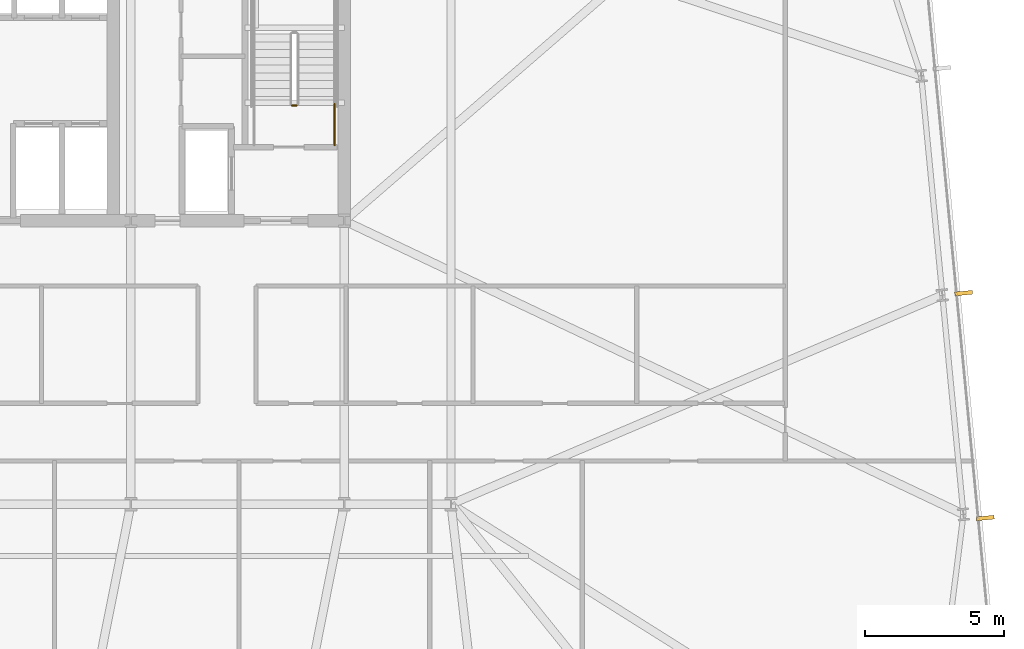
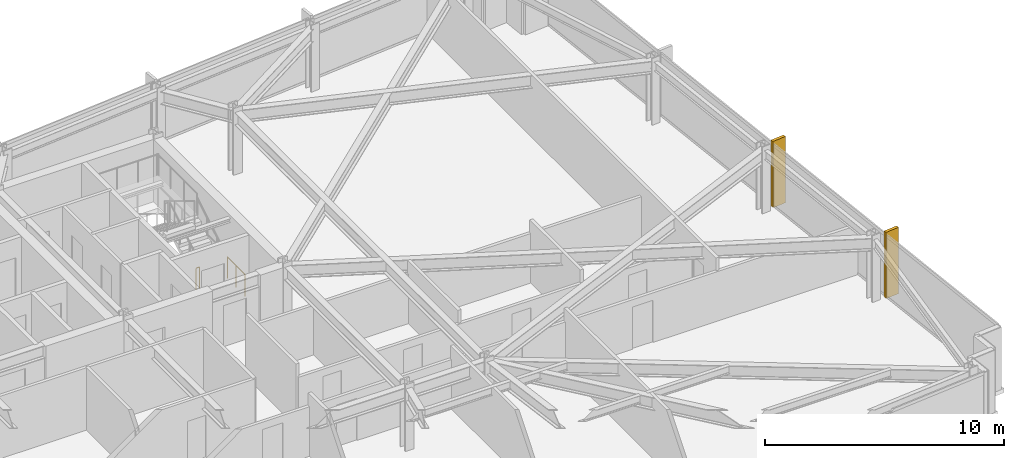
# One storey, part 31 of 33: 2 railings, 2 shading devices.
"""IFC4 building model written with IfcOpenShell, lengths in metres."""

import ifcopenshell
import ifcopenshell.guid

model = None  # the IFC model being written
_history = None  # IfcOwnerHistory: only IFC2X3 demands one
_inside = {}  # id of a spatial element -> (the spatial element, [elements in it])
_under = {}  # id of a project, library or spatial element -> (it, [spatial elements below it])
_declared = {}  # id of a project -> (the project, [libraries it declares])
_typed = {}  # id of a type object -> (the type object, [elements of that type])
_made_of = {}  # id of a material, layer set ... -> (it, [elements and type objects made of it])


def new_model(schema):
    """Start an empty IFC model of exactly this schema.

    Asked for "IFC4X3", IfcOpenShell would pick the latest addendum, in which some entities
    have other attributes; the version numbers below select the first issue.
    IFC2X3 requires an IfcOwnerHistory on every rooted entity: one is made here for all.
    """
    global model, _history
    if schema == "IFC4X3":
        model = ifcopenshell.file(schema_version=(4, 3, 0, 0))
    else:
        model = ifcopenshell.file(schema=schema)
    _inside.clear()
    _under.clear()
    _declared.clear()
    _typed.clear()
    _made_of.clear()
    _history = None
    if model.schema == "IFC2X3":
        org = make("IfcOrganization", Name="unknown")
        user = make(
            "IfcPersonAndOrganization",
            ThePerson=make("IfcPerson", FamilyName="unknown"),
            TheOrganization=org,
        )
        app = make(
            "IfcApplication",
            ApplicationDeveloper=org,
            Version="unknown",
            ApplicationFullName="unknown",
            ApplicationIdentifier="unknown",
        )
        _history = make(
            "IfcOwnerHistory",
            OwningUser=user,
            OwningApplication=app,
            ChangeAction="ADDED",
            CreationDate=0,
        )
    return model


def make(cls, **values):
    """One entity of the class cls with the attributes given. An attribute that is None is left unset."""
    return model.create_entity(
        cls, **{name: value for name, value in values.items() if value is not None}
    )


def rooted(cls, **values):
    """An entity with a GlobalId (a new one), such as an element, a storey or a relation."""
    return make(cls, GlobalId=ifcopenshell.guid.new(), OwnerHistory=_history, **values)


def si_unit(unit_type, name, prefix=None):
    """IfcSIUnit, for example si_unit("LENGTHUNIT", "METRE", prefix="MILLI")."""
    return make("IfcSIUnit", UnitType=unit_type, Prefix=prefix, Name=name)


def assignment(units):
    """IfcUnitAssignment: the units of a project."""
    return None if units is None else make("IfcUnitAssignment", Units=units)


def point(xyz):
    """IfcCartesianPoint."""
    return None if xyz is None else make("IfcCartesianPoint", Coordinates=xyz)


def direction(xyz):
    """IfcDirection."""
    return None if xyz is None else make("IfcDirection", DirectionRatios=xyz)


def frame(location, z_axis=None, x_axis=None):
    """IfcAxis2Placement3D, a coordinate frame: its origin and axes. An axis left out is left unset."""
    return make(
        "IfcAxis2Placement3D",
        Location=point(location),
        Axis=direction(z_axis),
        RefDirection=direction(x_axis),
    )


def frame_2d(location, x_axis=None):
    """IfcAxis2Placement2D, a coordinate frame in the plane: its origin and x axis."""
    return make(
        "IfcAxis2Placement2D", Location=point(location), RefDirection=direction(x_axis)
    )


def origin():
    """The frame at (0, 0, 0) with its axes left unset."""
    return frame((0.0, 0.0, 0.0))


def origin_2d():
    """The frame at (0, 0) in the plane with its x axis left unset."""
    return frame_2d((0.0, 0.0))


def place(relative_to, where):
    """IfcLocalPlacement: puts the frame where relative to a parent placement (None: the world)."""
    return make(
        "IfcLocalPlacement", PlacementRelTo=relative_to, RelativePlacement=where
    )


def context(
    kind, dimensions, precision=None, world=None, true_north=None, identifier=None
):
    """IfcGeometricRepresentationContext, for example the 3D "Model" context."""
    return make(
        "IfcGeometricRepresentationContext",
        ContextIdentifier=identifier,
        ContextType=kind,
        CoordinateSpaceDimension=dimensions,
        Precision=precision,
        WorldCoordinateSystem=world,
        TrueNorth=true_north,
    )


def subcontext(parent, identifier, kind, view, scale=None):
    """IfcGeometricRepresentationSubContext, for example "Body" below "Model"."""
    return make(
        "IfcGeometricRepresentationSubContext",
        ContextIdentifier=identifier,
        ContextType=kind,
        ParentContext=parent,
        TargetScale=scale,
        TargetView=view,
    )


def project(units=None, contexts=None):
    """IfcProject with its units and contexts."""
    return rooted(
        "IfcProject",
        Name="project",
        RepresentationContexts=contexts,
        UnitsInContext=assignment(units),
    )


def spatial(cls, under=None, at=None, **own):
    """A site, building, storey or space (cls), placed at a placement, below another one or the project."""
    s = rooted(cls, ObjectPlacement=at, **own)
    if under is not None:
        _under.setdefault(under.id(), (under, []))[1].append(s)
    return s


def profile(cls, at=None, kind="AREA", **sizes):
    """A parametric profile (cls). Its sizes go by their IFC names, for example OverallWidth=200.0."""
    return make(cls, ProfileType=kind, Position=at, **sizes)


def rectangle(**sizes):
    """IfcRectangleProfileDef."""
    return profile("IfcRectangleProfileDef", **sizes)


def circle(**sizes):
    """IfcCircleProfileDef."""
    return profile("IfcCircleProfileDef", **sizes)


def extrude(swept, where, along, depth):
    """IfcExtrudedAreaSolid: the profile swept, set in the frame where, extruded along a direction by depth."""
    return make(
        "IfcExtrudedAreaSolid",
        SweptArea=swept,
        Position=where,
        ExtrudedDirection=direction(along),
        Depth=depth,
    )


def shape(context_of_items, identifier, shape_type, items):
    """IfcShapeRepresentation: the items that make up one representation, for example the "Body"."""
    return make(
        "IfcShapeRepresentation",
        ContextOfItems=context_of_items,
        RepresentationIdentifier=identifier,
        RepresentationType=shape_type,
        Items=items,
    )


def material(Name=None, Category=None):
    """IfcMaterial."""
    return make("IfcMaterial", Name=Name, Category=Category)


def layer(
    of_material, thickness, ventilated=None, Name=None, Category=None, Priority=None
):
    """IfcMaterialLayer: one layer of a wall or slab, of a material (None: an air gap)."""
    return make(
        "IfcMaterialLayer",
        Material=of_material,
        LayerThickness=thickness,
        IsVentilated=ventilated,
        Name=Name,
        Category=Category,
        Priority=Priority,
    )


def layer_set(layers, Name=None):
    """IfcMaterialLayerSet."""
    return make("IfcMaterialLayerSet", MaterialLayers=layers, LayerSetName=Name)


def made_of(thing, what):
    """Note that an element or type object is made of a material, layer set ...; save() writes the relation."""
    if what is not None:
        _made_of.setdefault(what.id(), (what, []))[1].append(thing)
    return thing


def type_object(cls, material=None, **own):
    """A type object (cls), such as IfcWallType, which elements share."""
    return made_of(rooted(cls, **own), material)


def element(
    cls,
    number,
    at=None,
    inside=None,
    cuts=None,
    type_object=None,
    material=None,
    context=None,
    identifier="Body",
    shape_type=None,
    held_by="IfcProductDefinitionShape",
    body=None,
    shapes=None,
    **own,
):
    """One element of the class cls, such as IfcWall. Its Tag is "e" and its number.

    at: its placement. inside: the storey or other place that contains it. cuts: it is an
    opening in that element (IfcRelVoidsElement). A single representation is given by context,
    identifier, shape_type and body (its items); several are given by shapes. held_by: the class
    of the entity that holds the representations. save() writes the other relations.
    """
    e = rooted(cls, Tag="e%d" % number, ObjectPlacement=at, **own)
    if body is not None:
        shapes = [shape(context, identifier, shape_type, body)]
    if shapes is not None:
        e.Representation = make(held_by, Representations=shapes)
    if inside is not None:
        _inside.setdefault(inside.id(), (inside, []))[1].append(e)
    if cuts is not None:
        rooted(
            "IfcRelVoidsElement", RelatingBuildingElement=cuts, RelatedOpeningElement=e
        )
    if type_object is not None:
        _typed.setdefault(type_object.id(), (type_object, []))[1].append(e)
    return made_of(e, material)


def aggregate(whole, parts):
    """IfcRelAggregates: a whole, such as a stair, and the parts it consists of."""
    return rooted("IfcRelAggregates", RelatingObject=whole, RelatedObjects=parts)


def save(model, path):
    """Write the relations noted so far, then the file.

    IfcRelAggregates (storeys below a building ...), IfcRelContainedInSpatialStructure (elements
    in a storey), IfcRelDefinesByType, IfcRelAssociatesMaterial and IfcRelDeclares: one each for
    every whole, place, type object, material and project.
    """
    for whole, parts in _under.values():
        aggregate(whole, parts)
    for where, things in _inside.values():
        rooted(
            "IfcRelContainedInSpatialStructure",
            RelatedElements=things,
            RelatingStructure=where,
        )
    for kind, things in _typed.values():
        rooted("IfcRelDefinesByType", RelatedObjects=things, RelatingType=kind)
    for what, things in _made_of.values():
        rooted("IfcRelAssociatesMaterial", RelatedObjects=things, RelatingMaterial=what)
    for by, libraries in _declared.values():
        rooted("IfcRelDeclares", RelatingContext=by, RelatedDefinitions=libraries)
    model.write(path)


model = new_model("IFC4")

# Units and contexts
model_context = context("Model", 3, precision=1e-05, world=origin(), true_north=direction((0.0, 1.0)))
body_context = subcontext(model_context, "Body", "Model", "MODEL_VIEW")
ifc_project = project(units=[si_unit("LENGTHUNIT", "METRE"), si_unit("AREAUNIT", "SQUARE_METRE"), si_unit("VOLUMEUNIT", "CUBIC_METRE"), si_unit("PLANEANGLEUNIT", "RADIAN"), si_unit("MASSUNIT", "GRAM", prefix="KILO")], contexts=[model_context])

# Site, building, storey
site_placement = place(None, origin())
site = spatial("IfcSite", under=ifc_project, at=site_placement, CompositionType="ELEMENT")
building_placement = place(site_placement, origin())
building = spatial("IfcBuilding", under=site, at=building_placement, Name="Yelkora Congress Tower", CompositionType="ELEMENT")
storey_placement = place(building_placement, frame((0.0, 0.0, 110.10009765625)))
storey = spatial("IfcBuildingStorey", under=building, at=storey_placement, Name="L29", CompositionType="ELEMENT", Elevation=110.10009765625)

# Railings
ifc_material_1 = material(Name="Painted galvanised steel stair well guard with vertical infill", Category="steel")
ifc_layer_1 = layer(ifc_material_1, 0.06005859375)
ifc_layer_set_1 = layer_set([ifc_layer_1], Name="Painted galvanised steel stair well guard with vertical infill")
railing_type = type_object("IfcRailingType", Name="RAIL-STAIR-GUARD-1120", PredefinedType="GUARDRAIL", material=ifc_layer_set_1)
railing_1_placement = place(storey_placement, frame((52.0400390625, 39.550048828125, 0.0)))
element("IfcRailing", 1, at=railing_1_placement, inside=storey, type_object=railing_type, Name="ST-02 L29 Stair Well Guardrail 7", PredefinedType="GUARDRAIL", context=body_context, shape_type="SweptSolid", body=[
    extrude(circle(Radius=0.02392578125, at=origin_2d()), frame((0.0, 0.0, 1.09619140625), z_axis=(-1.0, 0.0, 0.0), x_axis=(0.0, -1.0, 0.0)), (0.0, 0.0, 1.0), 0.16015625),
    extrude(circle(Radius=0.02099609375, at=origin_2d()), origin(), (0.0, 0.0, 1.0), 1.072021484375),
    extrude(circle(Radius=0.02099609375, at=origin_2d()), frame((-0.16015625, 0.0, 0.0)), (0.0, 0.0, 1.0), 1.072021484375),
])
railing_2_placement = place(storey_placement, frame((53.409912109375, 38.1201171875, 0.0)))
element("IfcRailing", 2, at=railing_2_placement, inside=storey, type_object=railing_type, Name="ST-02 L29 Stair Well Guardrail 8", PredefinedType="GUARDRAIL", context=body_context, shape_type="SweptSolid", body=[
    extrude(circle(Radius=0.02392578125, at=origin_2d()), frame((0.0, 0.0, 1.09619140625), z_axis=(0.0, 1.0, 0.0), x_axis=(-1.0, 0.0, 0.0)), (0.0, 0.0, 1.0), 1.47998046875),
    extrude(circle(Radius=0.02099609375, at=origin_2d()), origin(), (0.0, 0.0, 1.0), 1.072021484375),
    extrude(circle(Radius=0.02099609375, at=origin_2d()), frame((0.0, 0.739990234375, 0.0)), (0.0, 0.0, 1.0), 1.072021484375),
    extrude(circle(Radius=0.02099609375, at=origin_2d()), frame((0.0, 1.47998046875, 0.0)), (0.0, 0.0, 1.0), 1.072021484375),
])

# Shading devices
ifc_material_2 = material(Name="Champagne anodised aluminium", Category="aluminium")
ifc_layer_2 = layer(ifc_material_2, 3.39990234375)
ifc_layer_set_2 = layer_set([ifc_layer_2], Name="Champagne anodised aluminium")
shading_device_type = type_object("IfcShadingDeviceType", Name="SHD-FIN-ALU-640", PredefinedType="USERDEFINED", material=ifc_layer_set_2)
for number, where, z_axis, x_axis, name in (
    (3, (76.048095703125, 32.7958984375, -0.030029296875), (0.0, 0.0, 1.0), (0.09584575252, -0.995396198367, 0.0), "L29 Vertical Anodised Solar Fin 15-2"),
    (4, (76.827392578125, 24.703125, -0.030029296875), (0.0, 0.0, 1.0), (0.09584575252, -0.995396198367, 0.0), "L29 Vertical Anodised Solar Fin 15-3"),
):
    element("IfcShadingDevice", number, at=place(storey_placement, frame(where, z_axis=z_axis, x_axis=x_axis)), inside=storey, type_object=shading_device_type, Name=name, ObjectType="FIN", PredefinedType="USERDEFINED", context=body_context, shape_type="SweptSolid", body=[
        extrude(rectangle(XDim=0.139892578125, YDim=0.639892578125, at=origin_2d()), origin(), (0.0, 0.0, 1.0), 3.3798828125),
    ])

save(model, "model.ifc")
